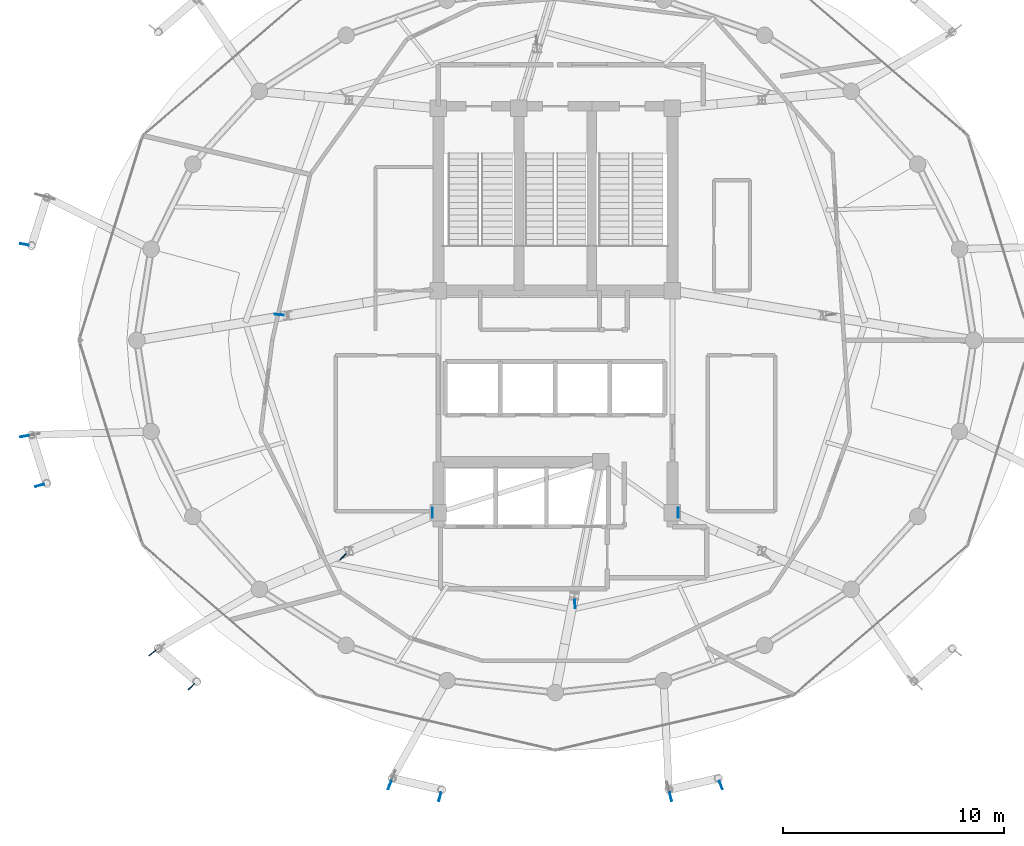
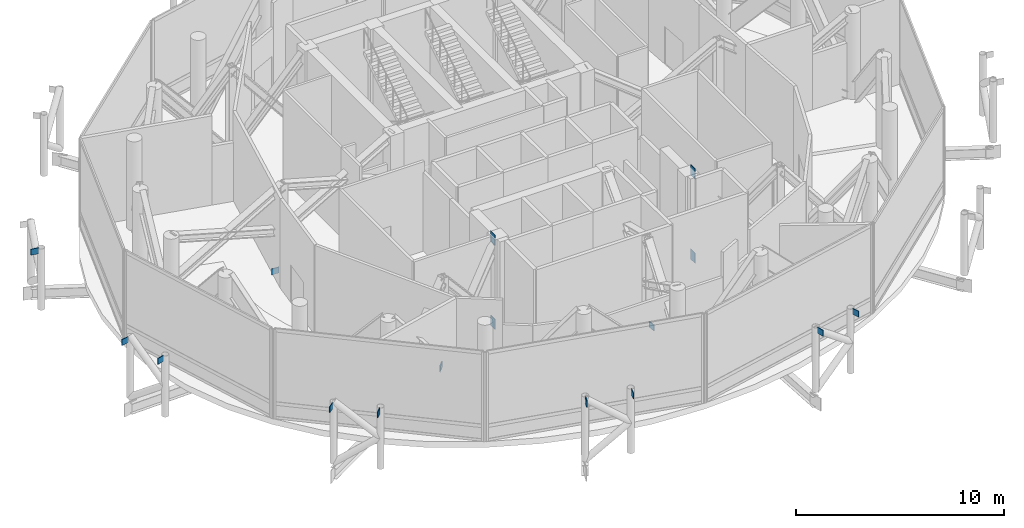
# One storey, part 21 of 26: 16 discrete accessories.
"""IFC4 building model written with IfcOpenShell, lengths in metres."""

from ifc_helpers import new_model, si_unit, direction, frame, origin, origin_2d, place, context, subcontext, project, spatial, rectangle, extrude, material, type_object, element, save


model = new_model("IFC4")

# Units and contexts
model_context = context("Model", 3, precision=1e-05, world=origin(), true_north=direction((0.0, 1.0)))
body_context = subcontext(model_context, "Body", "Model", "MODEL_VIEW")
ifc_project = project(units=[si_unit("LENGTHUNIT", "METRE"), si_unit("AREAUNIT", "SQUARE_METRE"), si_unit("VOLUMEUNIT", "CUBIC_METRE"), si_unit("PLANEANGLEUNIT", "RADIAN"), si_unit("MASSUNIT", "GRAM", prefix="KILO")], contexts=[model_context])

# Site, building, storey
site_placement = place(None, origin())
site = spatial("IfcSite", under=ifc_project, at=site_placement, CompositionType="ELEMENT")
building_placement = place(site_placement, origin())
building = spatial("IfcBuilding", under=site, at=building_placement, Name="Nuhasar Tower", CompositionType="ELEMENT")
storey_placement = place(building_placement, frame((0.0, 0.0, 301.199951171875)))
storey = spatial("IfcBuildingStorey", under=building, at=storey_placement, Name="L75", CompositionType="ELEMENT", Elevation=301.199951171875)

# Discrete accessories
ifc_material = material(Name="Steel S460", Category="steel")
discrete_accessory_type_1 = type_object("IfcDiscreteAccessoryType", Name="ACC-EMB-30", PredefinedType="USERDEFINED", material=ifc_material)
for number, where, z_axis, x_axis, name in (
    (1, (33.43505859375, 19.0, -0.14990234375), (0.0, 0.0, 1.0), (1.0, 0.0, 0.0), "L75 Outrigger Diagonal Core Wall Cast-in Plate 01-LO"),
    (2, (33.43505859375, 19.0, 4.800048828125), (0.0, 0.0, 1.0), (1.0, 0.0, 0.0), "L75 Outrigger Diagonal Core Wall Cast-in Plate 01-HI"),
    (3, (44.56494140625, 19.0, -0.14990234375), (0.0, 0.0, 1.0), (1.0, 0.0, 0.0), "L75 Outrigger Diagonal Core Wall Cast-in Plate 03-LO"),
    (4, (44.56494140625, 19.0, 4.800048828125), (0.0, 0.0, 1.0), (1.0, 0.0, 0.0), "L75 Outrigger Diagonal Core Wall Cast-in Plate 03-HI"),
):
    element("IfcDiscreteAccessory", number, at=place(storey_placement, frame(where, z_axis=z_axis, x_axis=x_axis)), inside=storey, type_object=discrete_accessory_type_1, Name=name, ObjectType="CAST_IN_PLATE", PredefinedType="USERDEFINED", context=body_context, shape_type="SweptSolid", body=[
        extrude(rectangle(XDim=0.030029296875, YDim=0.449951171875, at=origin_2d()), origin(), (0.0, 0.0, 1.0), 0.60009765625),
    ])
discrete_accessory_type_2 = type_object("IfcDiscreteAccessoryType", Name="ACC-GUS-40", PredefinedType="USERDEFINED", material=ifc_material)
for number, where, z_axis, x_axis, name in (
    (5, (14.958984375, 31.14404296875, 3.25), (0.0, 0.0, 1.0), (-0.984062430207, 0.177823320895, 0.0), "L75 Exoskeleton Chord Column EC-06B Gusset Plate"),
    (6, (14.958984375, 22.4560546875, 3.25), (0.0, 0.0, 1.0), (-0.984062430207, -0.177823320895, 0.0), "L75 Exoskeleton Chord Column EC-07A Gusset Plate"),
    (7, (15.65087890625, 20.22998046875, 3.25), (0.0, 0.0, 1.0), (-0.962620870405, -0.27085246881, 0.0), "L75 Exoskeleton Chord Column EC-07B Gusset Plate"),
    (8, (20.757080078125, 12.64111328125, 3.25), (0.0, 0.0, 1.0), (-0.789983825631, -0.613127682657, 0.0), "L75 Exoskeleton Chord Column EC-08A Gusset Plate"),
    (9, (22.52294921875, 11.116943359375, 3.25), (0.0, 0.0, 1.0), (-0.724352378593, -0.689429932355, 0.0), "L75 Exoskeleton Chord Column EC-08B Gusset Plate"),
    (10, (31.501953125, 6.659912109375, 3.449951171875), (0.0, 0.0, 1.0), (-0.348915555693, -0.937154168211, 0.0), "L75 Exoskeleton Chord Column EC-09A Gusset Plate"),
    (11, (33.777099609375, 6.133056640625, 3.449951171875), (0.0, 0.0, 1.0), (-0.245036656105, -0.96951381484, 0.0), "L75 Exoskeleton Chord Column EC-09B Gusset Plate"),
    (12, (44.222900390625, 6.133056640625, 3.449951171875), (0.0, 0.0, 1.0), (0.245036656105, -0.96951381484, 0.0), "L75 Exoskeleton Chord Column EC-10A Gusset Plate"),
    (13, (46.498046875, 6.659912109375, 3.449951171875), (0.0, 0.0, 1.0), (0.348915555693, -0.937154168211, 0.0), "L75 Exoskeleton Chord Column EC-10B Gusset Plate"),
    (14, (29.384033203125, 16.989990234375, 0.0), (0.0, 0.0, 1.0), (-0.699999950133, -0.714142891733, 0.0), "L75 Outrigger Truss Post 01 Gusset Plate"),
    (15, (39.888916015625, 14.860107421875, 0.0), (0.0, 0.0, 1.0), (0.074265136973, -0.997238531862, 0.0), "L75 Outrigger Truss Post 02 Gusset Plate"),
    (16, (26.4970703125, 27.9599609375, 0.0), (0.0, 0.0, 1.0), (-0.995723085862, 0.092387966107, 0.0), "L75 Outrigger Truss Post 08 Gusset Plate"),
):
    element("IfcDiscreteAccessory", number, at=place(storey_placement, frame(where, z_axis=z_axis, x_axis=x_axis)), inside=storey, type_object=discrete_accessory_type_2, Name=name, ObjectType="STEEL_GUSSET_PLATE", PredefinedType="USERDEFINED", context=body_context, shape_type="SweptSolid", body=[
        extrude(rectangle(XDim=0.39990234375, YDim=0.0400390625, at=origin_2d()), origin(), (0.0, 0.0, 1.0), 0.35009765625),
    ])

save(model, "model.ifc")
